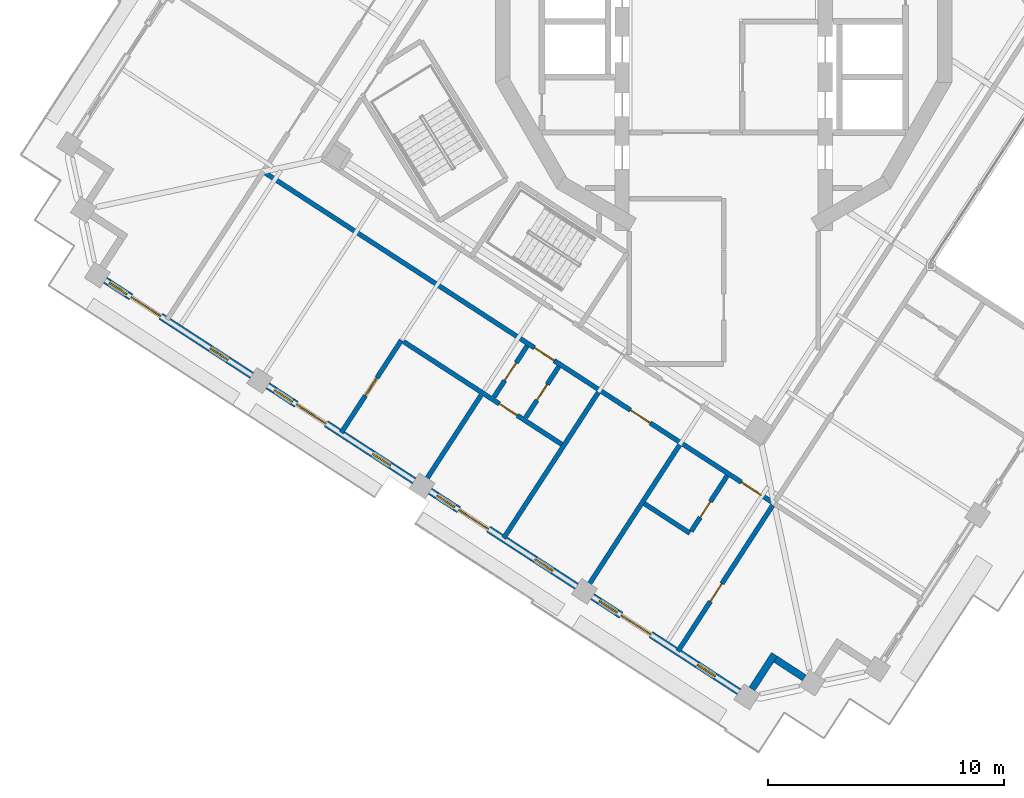
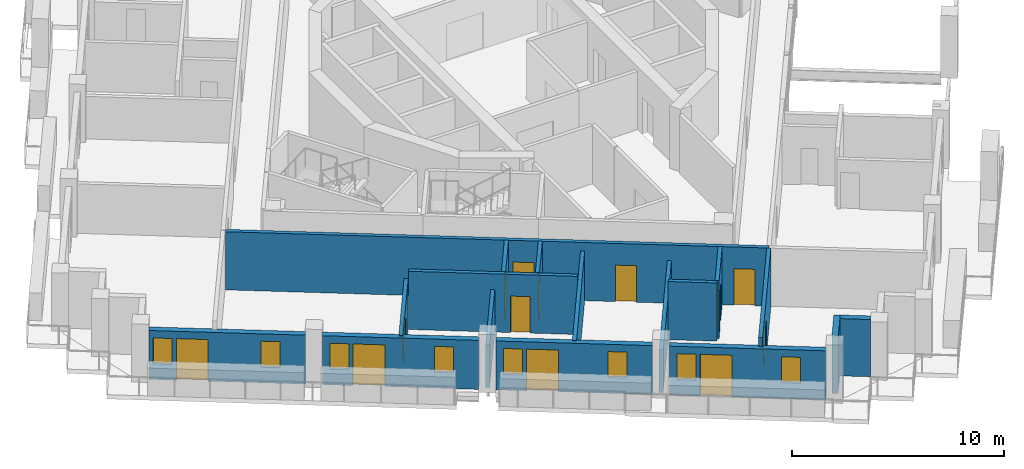
# One storey, part 5 of 17: 17 walls, 13 doors, 8 windows, 21 openings.
"""IFC4 building model written with IfcOpenShell, lengths in metres."""

from ifc_helpers import new_model, si_unit, direction, frame, frame_2d, origin, place, context, subcontext, project, spatial, rectangle, extrude, material, layer, layer_set, type_object, element, fill, save


model = new_model("IFC4")

# Units and contexts
model_context = context("Model", 3, precision=1e-05, world=origin(), true_north=direction((0.0, 1.0)))
body_context = subcontext(model_context, "Body", "Model", "MODEL_VIEW")
ifc_project = project(units=[si_unit("LENGTHUNIT", "METRE"), si_unit("AREAUNIT", "SQUARE_METRE"), si_unit("VOLUMEUNIT", "CUBIC_METRE"), si_unit("PLANEANGLEUNIT", "RADIAN"), si_unit("MASSUNIT", "GRAM", prefix="KILO")], contexts=[model_context])

# Site, building, storey
site_placement = place(None, origin())
site = spatial("IfcSite", under=ifc_project, at=site_placement, CompositionType="ELEMENT")
building_placement = place(site_placement, origin())
building = spatial("IfcBuilding", under=site, at=building_placement, Name="Cantera Rosa Tower", CompositionType="ELEMENT")
storey_placement = place(building_placement, frame((0.0, 0.0, 268.5)))
storey = spatial("IfcBuildingStorey", under=building, at=storey_placement, Name="L60", CompositionType="ELEMENT", Elevation=268.5)

# Wall, openings, doors
ifc_material_1 = material(Name="Gypsum board partition")
ifc_layer_1 = layer(ifc_material_1, 0.199951171875)
ifc_layer_set_1 = layer_set([ifc_layer_1], Name="CORRIDOR WALL 200 H3350")
wall_type_1 = type_object("IfcWallType", Name="CORRIDOR WALL 200 H3350", PredefinedType="PARTITIONING", material=ifc_layer_set_1)
wall_1_placement = place(storey_placement, frame((-19.4052734375, -6.416259765625, 0.0), z_axis=(0.0, 0.0, 1.0), x_axis=(0.83867117695, -0.544638097229, 0.0)))
wall_1 = element("IfcWall", 1, at=wall_1_placement, inside=storey, type_object=wall_type_1, Name="CORRIDOR WALL L60-002", PredefinedType="PARTITIONING", context=body_context, shape_type="SweptSolid", body=[
    extrude(rectangle(XDim=25.679931640625, YDim=0.199951171875, at=frame_2d((12.83984375, 0.0))), origin(), (0.0, 0.0, 1.0), 3.35009765625),
])
opening_1_placement = place(wall_1_placement, frame((13.580078125, 0.0, 0.0)))
opening_1 = element("IfcOpeningElement", 2, at=opening_1_placement, cuts=wall_1, Name="Opening L60-036", PredefinedType="OPENING", context=body_context, shape_type="SweptSolid", body=[
    extrude(rectangle(XDim=1.0, YDim=2.10009765625, at=frame_2d((0.5, 1.050048828125))), frame((0.0, 0.10986328125, 0.0), z_axis=(0.0, -1.0, 0.0), x_axis=(1.0, 0.0, 0.0)), (0.0, 0.0, 1.0), 0.219970703125),
])
opening_2_placement = place(wall_1_placement, frame((18.429931640625, 0.0, 0.0)))
opening_2 = element("IfcOpeningElement", 3, at=opening_2_placement, cuts=wall_1, Name="Opening L60-041", PredefinedType="OPENING", context=body_context, shape_type="SweptSolid", body=[
    extrude(rectangle(XDim=1.0, YDim=2.10009765625, at=frame_2d((0.5, 1.050048828125))), frame((0.0, 0.10986328125, 0.0), z_axis=(0.0, -1.0, 0.0), x_axis=(1.0, 0.0, 0.0)), (0.0, 0.0, 1.0), 0.219970703125),
])
opening_3_placement = place(wall_1_placement, frame((24.030029296875, 0.0, 0.0)))
opening_3 = element("IfcOpeningElement", 4, at=opening_3_placement, cuts=wall_1, Name="Opening L60-042", PredefinedType="OPENING", context=body_context, shape_type="SweptSolid", body=[
    extrude(rectangle(XDim=1.0, YDim=2.10009765625, at=frame_2d((0.5, 1.050048828125))), frame((0.0, 0.10986328125, 0.0), z_axis=(0.0, -1.0, 0.0), x_axis=(1.0, 0.0, 0.0)), (0.0, 0.0, 1.0), 0.219970703125),
])
ifc_material_2 = material(Name="Timber door leaf", Category="wood")
door_type_1 = type_object("IfcDoorType", Name="ENTRANCE DOOR 1000x2100", OperationType="NOTDEFINED", PredefinedType="DOOR", material=ifc_material_2)
door_1_placement = place(opening_1_placement, origin())
door_1 = element("IfcDoor", 5, at=door_1_placement, inside=storey, type_object=door_type_1, Name="DOOR L60-036", OperationType="NOTDEFINED", OverallHeight=2.10009765625, OverallWidth=1.0, PredefinedType="DOOR", context=body_context, shape_type="SweptSolid", body=[
    extrude(rectangle(XDim=1.0, YDim=2.10009765625, at=frame_2d((0.5, 1.050048828125))), frame((0.0, 0.02490234375, 0.0), z_axis=(0.0, -1.0, 0.0), x_axis=(1.0, 0.0, 0.0)), (0.0, 0.0, 1.0), 0.050048828125),
])
fill(opening_1, door_1)
door_2_placement = place(opening_3_placement, origin())
door_2 = element("IfcDoor", 6, at=door_2_placement, inside=storey, type_object=door_type_1, Name="DOOR L60-042", OperationType="NOTDEFINED", OverallHeight=2.10009765625, OverallWidth=1.0, PredefinedType="DOOR", context=body_context, shape_type="SweptSolid", body=[
    extrude(rectangle(XDim=1.0, YDim=2.10009765625, at=frame_2d((0.5, 1.050048828125))), frame((0.0, 0.02490234375, 0.0), z_axis=(0.0, -1.0, 0.0), x_axis=(1.0, 0.0, 0.0)), (0.0, 0.0, 1.0), 0.050048828125),
])
fill(opening_3, door_2)
ifc_material_3 = material(Name="Timber door leaf", Category="wood")
door_type_2 = type_object("IfcDoorType", Name="ROOM DOOR 1000x2100", OperationType="NOTDEFINED", PredefinedType="DOOR", material=ifc_material_3)
door_3_placement = place(opening_2_placement, origin())
door_3 = element("IfcDoor", 7, at=door_3_placement, inside=storey, type_object=door_type_2, Name="DOOR L60-041", OperationType="NOTDEFINED", OverallHeight=2.10009765625, OverallWidth=1.0, PredefinedType="DOOR", context=body_context, shape_type="SweptSolid", body=[
    extrude(rectangle(XDim=1.0, YDim=2.10009765625, at=frame_2d((0.5, 1.050048828125))), frame((0.0, 0.02490234375, 0.0), z_axis=(0.0, -1.0, 0.0), x_axis=(1.0, 0.0, 0.0)), (0.0, 0.0, 1.0), 0.050048828125),
])
fill(opening_2, door_3)

# Walls
ifc_material_4 = material(Name="Hollow clay masonry with cantera stone cladding", Category="masonry")
ifc_layer_2 = layer(ifc_material_4, 0.300048828125)
ifc_layer_set_2 = layer_set([ifc_layer_2], Name="EW-LOGGIA 300")
wall_type_2 = type_object("IfcWallType", Name="EW-LOGGIA 300", PredefinedType="SOLIDWALL", material=ifc_layer_set_2)
wall_2_placement = place(storey_placement, frame((1.2001953125, -28.263427734375, 0.0), z_axis=(0.0, 0.0, 1.0), x_axis=(0.54461563776, 0.838685761837, 0.0)))
element("IfcWall", 8, at=wall_2_placement, inside=storey, type_object=wall_type_2, Name="EN-L60-W18a", PredefinedType="SOLIDWALL", context=body_context, shape_type="SweptSolid", body=[
    extrude(rectangle(XDim=1.75, YDim=0.300048828125, at=frame_2d((0.875, 0.0))), origin(), (0.0, 0.0, 1.0), 3.300048828125),
])
wall_3_placement = place(storey_placement, frame((2.197509765625, -27.003173828125, 0.0), z_axis=(0.0, 0.0, 1.0), x_axis=(0.838647435384, -0.54467465438, 0.0)))
element("IfcWall", 9, at=wall_3_placement, inside=storey, type_object=wall_type_2, Name="EN-L60-W18b", PredefinedType="SOLIDWALL", context=body_context, shape_type="SweptSolid", body=[
    extrude(rectangle(XDim=1.449951171875, YDim=0.300048828125, at=frame_2d((0.72509765625, 0.0))), origin(), (0.0, 0.0, 1.0), 3.300048828125),
])

# Wall, openings, windows, door
ifc_material_5 = material(Name="Hollow clay masonry with cantera stone cladding", Category="masonry")
ifc_layer_3 = layer(ifc_material_5, 0.300048828125)
ifc_layer_set_3 = layer_set([ifc_layer_3], Name="EW-LOGGIA 300 H2820")
wall_type_3 = type_object("IfcWallType", Name="EW-LOGGIA 300 H2820", PredefinedType="SOLIDWALL", material=ifc_layer_set_3)
wall_4_placement = place(storey_placement, frame((-26.1904296875, -10.95263671875, 0.0), z_axis=(0.0, 0.0, 1.0), x_axis=(0.838669679097, -0.544640403719, 0.0)))
wall_4 = element("IfcWall", 10, at=wall_4_placement, inside=storey, type_object=wall_type_3, Name="EN-L60-W14", PredefinedType="SOLIDWALL", context=body_context, shape_type="SweptSolid", body=[
    extrude(rectangle(XDim=7.39990234375, YDim=0.300048828125, at=frame_2d((3.699951171875, 0.0))), origin(), (0.0, 0.0, 1.0), 2.820068359375),
])
opening_4_placement = place(wall_4_placement, frame((0.199951171875, 0.0, 0.89990234375)))
opening_4 = element("IfcOpeningElement", 11, at=opening_4_placement, cuts=wall_4, Name="Opening L60-W28", PredefinedType="OPENING", context=body_context, shape_type="SweptSolid", body=[
    extrude(rectangle(XDim=0.89990234375, YDim=1.5, at=frame_2d((0.449951171875, 0.75))), frame((0.0, 0.159912109375, 0.0), z_axis=(0.0, -1.0, 0.0), x_axis=(1.0, 0.0, 0.0)), (0.0, 0.0, 1.0), 0.320068359375),
])
opening_5_placement = place(wall_4_placement, frame((1.300048828125, 0.0, 0.0)))
opening_5 = element("IfcOpeningElement", 12, at=opening_5_placement, cuts=wall_4, Name="Opening L60-TD29", PredefinedType="OPENING", context=body_context, shape_type="SweptSolid", body=[
    extrude(rectangle(XDim=1.5, YDim=2.39990234375, at=frame_2d((0.75, 1.199951171875))), frame((0.0, 0.159912109375, 0.0), z_axis=(0.0, -1.0, 0.0), x_axis=(1.0, 0.0, 0.0)), (0.0, 0.0, 1.0), 0.320068359375),
])
opening_6_placement = place(wall_4_placement, frame((5.300048828125, 0.0, 0.89990234375)))
opening_6 = element("IfcOpeningElement", 13, at=opening_6_placement, cuts=wall_4, Name="Opening L60-W30", PredefinedType="OPENING", context=body_context, shape_type="SweptSolid", body=[
    extrude(rectangle(XDim=0.89990234375, YDim=1.5, at=frame_2d((0.449951171875, 0.75))), frame((0.0, 0.159912109375, 0.0), z_axis=(0.0, -1.0, 0.0), x_axis=(1.0, 0.0, 0.0)), (0.0, 0.0, 1.0), 0.320068359375),
])
ifc_material_6 = material(Name="Aluminium frame with clear glass", Category="aluminium")
window_type = type_object("IfcWindowType", Name="Residential window 900x1500", PartitioningType="SINGLE_PANEL", PredefinedType="WINDOW", material=ifc_material_6)
window_1_placement = place(opening_4_placement, origin())
window_1 = element("IfcWindow", 14, at=window_1_placement, inside=storey, type_object=window_type, Name="WINDOW L60-W28", OverallHeight=1.5, OverallWidth=0.89990234375, PartitioningType="SINGLE_PANEL", PredefinedType="WINDOW", context=body_context, shape_type="SweptSolid", body=[
    extrude(rectangle(XDim=0.89990234375, YDim=1.5, at=frame_2d((0.449951171875, 0.75))), frame((0.0, 0.030029296875, 0.0), z_axis=(0.0, -1.0, 0.0), x_axis=(1.0, 0.0, 0.0)), (0.0, 0.0, 1.0), 0.06005859375),
])
fill(opening_4, window_1)
window_2_placement = place(opening_6_placement, origin())
window_2 = element("IfcWindow", 15, at=window_2_placement, inside=storey, type_object=window_type, Name="WINDOW L60-W30", OverallHeight=1.5, OverallWidth=0.89990234375, PartitioningType="SINGLE_PANEL", PredefinedType="WINDOW", context=body_context, shape_type="SweptSolid", body=[
    extrude(rectangle(XDim=0.89990234375, YDim=1.5, at=frame_2d((0.449951171875, 0.75))), frame((0.0, 0.030029296875, 0.0), z_axis=(0.0, -1.0, 0.0), x_axis=(1.0, 0.0, 0.0)), (0.0, 0.0, 1.0), 0.06005859375),
])
fill(opening_6, window_2)
ifc_material_7 = material(Name="Aluminium frame with clear glass", Category="aluminium")
door_type_3 = type_object("IfcDoorType", Name="TD-R 1500x2400", OperationType="NOTDEFINED", PredefinedType="DOOR", material=ifc_material_7)
door_4_placement = place(opening_5_placement, origin())
door_4 = element("IfcDoor", 16, at=door_4_placement, inside=storey, type_object=door_type_3, Name="LOGGIA DOOR L60-TD29", OperationType="SLIDING_TO_LEFT", OverallHeight=2.39990234375, OverallWidth=1.5, PredefinedType="DOOR", context=body_context, shape_type="SweptSolid", body=[
    extrude(rectangle(XDim=1.5, YDim=2.39990234375, at=frame_2d((0.75, 1.199951171875))), frame((0.0, 0.02490234375, 0.0), z_axis=(0.0, -1.0, 0.0), x_axis=(1.0, 0.0, 0.0)), (0.0, 0.0, 1.0), 0.050048828125),
])
fill(opening_5, door_4)

wall_5_placement = place(storey_placement, frame((-19.3134765625, -15.418701171875, 0.0), z_axis=(0.0, 0.0, 1.0), x_axis=(0.838679465365, -0.544625333946, 0.0)))
wall_5 = element("IfcWall", 17, at=wall_5_placement, inside=storey, type_object=wall_type_3, Name="EN-L60-W15", PredefinedType="SOLIDWALL", context=body_context, shape_type="SweptSolid", body=[
    extrude(rectangle(XDim=7.400146484375, YDim=0.300048828125, at=frame_2d((3.7001953125, 0.0))), origin(), (0.0, 0.0, 1.0), 2.820068359375),
])
opening_7_placement = place(wall_5_placement, frame((0.35009765625, 0.0, 0.89990234375)))
opening_7 = element("IfcOpeningElement", 18, at=opening_7_placement, cuts=wall_5, Name="Opening L60-W31", PredefinedType="OPENING", context=body_context, shape_type="SweptSolid", body=[
    extrude(rectangle(XDim=0.89990234375, YDim=1.5, at=frame_2d((0.449951171875, 0.75))), frame((0.0, 0.159912109375, 0.0), z_axis=(0.0, -1.0, 0.0), x_axis=(1.0, 0.0, 0.0)), (0.0, 0.0, 1.0), 0.320068359375),
])
opening_8_placement = place(wall_5_placement, frame((1.449951171875, 0.0, 0.0)))
opening_8 = element("IfcOpeningElement", 19, at=opening_8_placement, cuts=wall_5, Name="Opening L60-TD32", PredefinedType="OPENING", context=body_context, shape_type="SweptSolid", body=[
    extrude(rectangle(XDim=1.5, YDim=2.39990234375, at=frame_2d((0.75, 1.199951171875))), frame((0.0, 0.159912109375, 0.0), z_axis=(0.0, -1.0, 0.0), x_axis=(1.0, 0.0, 0.0)), (0.0, 0.0, 1.0), 0.320068359375),
])
opening_9_placement = place(wall_5_placement, frame((5.300048828125, 0.0, 0.89990234375)))
opening_9 = element("IfcOpeningElement", 20, at=opening_9_placement, cuts=wall_5, Name="Opening L60-W33", PredefinedType="OPENING", context=body_context, shape_type="SweptSolid", body=[
    extrude(rectangle(XDim=0.89990234375, YDim=1.5, at=frame_2d((0.449951171875, 0.75))), frame((0.0, 0.159912109375, 0.0), z_axis=(0.0, -1.0, 0.0), x_axis=(1.0, 0.0, 0.0)), (0.0, 0.0, 1.0), 0.320068359375),
])
window_3_placement = place(opening_7_placement, origin())
window_3 = element("IfcWindow", 21, at=window_3_placement, inside=storey, type_object=window_type, Name="WINDOW L60-W31", OverallHeight=1.5, OverallWidth=0.89990234375, PartitioningType="SINGLE_PANEL", PredefinedType="WINDOW", context=body_context, shape_type="SweptSolid", body=[
    extrude(rectangle(XDim=0.89990234375, YDim=1.5, at=frame_2d((0.449951171875, 0.75))), frame((0.0, 0.030029296875, 0.0), z_axis=(0.0, -1.0, 0.0), x_axis=(1.0, 0.0, 0.0)), (0.0, 0.0, 1.0), 0.06005859375),
])
fill(opening_7, window_3)
window_4_placement = place(opening_9_placement, origin())
window_4 = element("IfcWindow", 22, at=window_4_placement, inside=storey, type_object=window_type, Name="WINDOW L60-W33", OverallHeight=1.5, OverallWidth=0.89990234375, PartitioningType="SINGLE_PANEL", PredefinedType="WINDOW", context=body_context, shape_type="SweptSolid", body=[
    extrude(rectangle(XDim=0.89990234375, YDim=1.5, at=frame_2d((0.449951171875, 0.75))), frame((0.0, 0.030029296875, 0.0), z_axis=(0.0, -1.0, 0.0), x_axis=(1.0, 0.0, 0.0)), (0.0, 0.0, 1.0), 0.06005859375),
])
fill(opening_9, window_4)
door_5_placement = place(opening_8_placement, origin())
door_5 = element("IfcDoor", 23, at=door_5_placement, inside=storey, type_object=door_type_3, Name="LOGGIA DOOR L60-TD32", OperationType="SLIDING_TO_LEFT", OverallHeight=2.39990234375, OverallWidth=1.5, PredefinedType="DOOR", context=body_context, shape_type="SweptSolid", body=[
    extrude(rectangle(XDim=1.5, YDim=2.39990234375, at=frame_2d((0.75, 1.199951171875))), frame((0.0, 0.02490234375, 0.0), z_axis=(0.0, -1.0, 0.0), x_axis=(1.0, 0.0, 0.0)), (0.0, 0.0, 1.0), 0.050048828125),
])
fill(opening_8, door_5)

wall_6_placement = place(storey_placement, frame((-12.436279296875, -19.884765625, 0.0), z_axis=(0.0, 0.0, 1.0), x_axis=(0.838669679097, -0.544640403719, 0.0)))
wall_6 = element("IfcWall", 24, at=wall_6_placement, inside=storey, type_object=wall_type_3, Name="EN-L60-W16", PredefinedType="SOLIDWALL", context=body_context, shape_type="SweptSolid", body=[
    extrude(rectangle(XDim=7.39990234375, YDim=0.300048828125, at=frame_2d((3.699951171875, 0.0))), origin(), (0.0, 0.0, 1.0), 2.820068359375),
])
opening_10_placement = place(wall_6_placement, frame((0.35009765625, 0.0, 0.89990234375)))
opening_10 = element("IfcOpeningElement", 25, at=opening_10_placement, cuts=wall_6, Name="Opening L60-W34", PredefinedType="OPENING", context=body_context, shape_type="SweptSolid", body=[
    extrude(rectangle(XDim=0.89990234375, YDim=1.5, at=frame_2d((0.449951171875, 0.75))), frame((0.0, 0.159912109375, 0.0), z_axis=(0.0, -1.0, 0.0), x_axis=(1.0, 0.0, 0.0)), (0.0, 0.0, 1.0), 0.320068359375),
])
opening_11_placement = place(wall_6_placement, frame((1.449951171875, 0.0, 0.0)))
opening_11 = element("IfcOpeningElement", 26, at=opening_11_placement, cuts=wall_6, Name="Opening L60-TD35", PredefinedType="OPENING", context=body_context, shape_type="SweptSolid", body=[
    extrude(rectangle(XDim=1.5, YDim=2.39990234375, at=frame_2d((0.75, 1.199951171875))), frame((0.0, 0.159912109375, 0.0), z_axis=(0.0, -1.0, 0.0), x_axis=(1.0, 0.0, 0.0)), (0.0, 0.0, 1.0), 0.320068359375),
])
opening_12_placement = place(wall_6_placement, frame((5.300048828125, 0.0, 0.89990234375)))
opening_12 = element("IfcOpeningElement", 27, at=opening_12_placement, cuts=wall_6, Name="Opening L60-W36", PredefinedType="OPENING", context=body_context, shape_type="SweptSolid", body=[
    extrude(rectangle(XDim=0.89990234375, YDim=1.5, at=frame_2d((0.449951171875, 0.75))), frame((0.0, 0.159912109375, 0.0), z_axis=(0.0, -1.0, 0.0), x_axis=(1.0, 0.0, 0.0)), (0.0, 0.0, 1.0), 0.320068359375),
])
window_5_placement = place(opening_10_placement, origin())
window_5 = element("IfcWindow", 28, at=window_5_placement, inside=storey, type_object=window_type, Name="WINDOW L60-W34", OverallHeight=1.5, OverallWidth=0.89990234375, PartitioningType="SINGLE_PANEL", PredefinedType="WINDOW", context=body_context, shape_type="SweptSolid", body=[
    extrude(rectangle(XDim=0.89990234375, YDim=1.5, at=frame_2d((0.449951171875, 0.75))), frame((0.0, 0.030029296875, 0.0), z_axis=(0.0, -1.0, 0.0), x_axis=(1.0, 0.0, 0.0)), (0.0, 0.0, 1.0), 0.06005859375),
])
fill(opening_10, window_5)
window_6_placement = place(opening_12_placement, origin())
window_6 = element("IfcWindow", 29, at=window_6_placement, inside=storey, type_object=window_type, Name="WINDOW L60-W36", OverallHeight=1.5, OverallWidth=0.89990234375, PartitioningType="SINGLE_PANEL", PredefinedType="WINDOW", context=body_context, shape_type="SweptSolid", body=[
    extrude(rectangle(XDim=0.89990234375, YDim=1.5, at=frame_2d((0.449951171875, 0.75))), frame((0.0, 0.030029296875, 0.0), z_axis=(0.0, -1.0, 0.0), x_axis=(1.0, 0.0, 0.0)), (0.0, 0.0, 1.0), 0.06005859375),
])
fill(opening_12, window_6)
door_6_placement = place(opening_11_placement, origin())
door_6 = element("IfcDoor", 30, at=door_6_placement, inside=storey, type_object=door_type_3, Name="LOGGIA DOOR L60-TD35", OperationType="SLIDING_TO_LEFT", OverallHeight=2.39990234375, OverallWidth=1.5, PredefinedType="DOOR", context=body_context, shape_type="SweptSolid", body=[
    extrude(rectangle(XDim=1.5, YDim=2.39990234375, at=frame_2d((0.75, 1.199951171875))), frame((0.0, 0.02490234375, 0.0), z_axis=(0.0, -1.0, 0.0), x_axis=(1.0, 0.0, 0.0)), (0.0, 0.0, 1.0), 0.050048828125),
])
fill(opening_11, door_6)

wall_7_placement = place(storey_placement, frame((-5.559326171875, -24.350830078125, 0.0), z_axis=(0.0, 0.0, 1.0), x_axis=(0.838679465365, -0.544625333946, 0.0)))
wall_7 = element("IfcWall", 31, at=wall_7_placement, inside=storey, type_object=wall_type_3, Name="EN-L60-W17", PredefinedType="SOLIDWALL", context=body_context, shape_type="SweptSolid", body=[
    extrude(rectangle(XDim=7.400146484375, YDim=0.300048828125, at=frame_2d((3.7001953125, 0.0))), origin(), (0.0, 0.0, 1.0), 2.820068359375),
])
opening_13_placement = place(wall_7_placement, frame((0.35009765625, 0.0, 0.89990234375)))
opening_13 = element("IfcOpeningElement", 32, at=opening_13_placement, cuts=wall_7, Name="Opening L60-W37", PredefinedType="OPENING", context=body_context, shape_type="SweptSolid", body=[
    extrude(rectangle(XDim=0.89990234375, YDim=1.5, at=frame_2d((0.449951171875, 0.75))), frame((0.0, 0.159912109375, 0.0), z_axis=(0.0, -1.0, 0.0), x_axis=(1.0, 0.0, 0.0)), (0.0, 0.0, 1.0), 0.320068359375),
])
opening_14_placement = place(wall_7_placement, frame((1.449951171875, 0.0, 0.0)))
opening_14 = element("IfcOpeningElement", 33, at=opening_14_placement, cuts=wall_7, Name="Opening L60-TD38", PredefinedType="OPENING", context=body_context, shape_type="SweptSolid", body=[
    extrude(rectangle(XDim=1.5, YDim=2.39990234375, at=frame_2d((0.75, 1.199951171875))), frame((0.0, 0.159912109375, 0.0), z_axis=(0.0, -1.0, 0.0), x_axis=(1.0, 0.0, 0.0)), (0.0, 0.0, 1.0), 0.320068359375),
])
opening_15_placement = place(wall_7_placement, frame((5.300048828125, 0.0, 0.89990234375)))
opening_15 = element("IfcOpeningElement", 34, at=opening_15_placement, cuts=wall_7, Name="Opening L60-W39", PredefinedType="OPENING", context=body_context, shape_type="SweptSolid", body=[
    extrude(rectangle(XDim=0.89990234375, YDim=1.5, at=frame_2d((0.449951171875, 0.75))), frame((0.0, 0.159912109375, 0.0), z_axis=(0.0, -1.0, 0.0), x_axis=(1.0, 0.0, 0.0)), (0.0, 0.0, 1.0), 0.320068359375),
])
window_7_placement = place(opening_13_placement, origin())
window_7 = element("IfcWindow", 35, at=window_7_placement, inside=storey, type_object=window_type, Name="WINDOW L60-W37", OverallHeight=1.5, OverallWidth=0.89990234375, PartitioningType="SINGLE_PANEL", PredefinedType="WINDOW", context=body_context, shape_type="SweptSolid", body=[
    extrude(rectangle(XDim=0.89990234375, YDim=1.5, at=frame_2d((0.449951171875, 0.75))), frame((0.0, 0.030029296875, 0.0), z_axis=(0.0, -1.0, 0.0), x_axis=(1.0, 0.0, 0.0)), (0.0, 0.0, 1.0), 0.06005859375),
])
fill(opening_13, window_7)
window_8_placement = place(opening_15_placement, origin())
window_8 = element("IfcWindow", 36, at=window_8_placement, inside=storey, type_object=window_type, Name="WINDOW L60-W39", OverallHeight=1.5, OverallWidth=0.89990234375, PartitioningType="SINGLE_PANEL", PredefinedType="WINDOW", context=body_context, shape_type="SweptSolid", body=[
    extrude(rectangle(XDim=0.89990234375, YDim=1.5, at=frame_2d((0.449951171875, 0.75))), frame((0.0, 0.030029296875, 0.0), z_axis=(0.0, -1.0, 0.0), x_axis=(1.0, 0.0, 0.0)), (0.0, 0.0, 1.0), 0.06005859375),
])
fill(opening_15, window_8)
door_7_placement = place(opening_14_placement, origin())
door_7 = element("IfcDoor", 37, at=door_7_placement, inside=storey, type_object=door_type_3, Name="LOGGIA DOOR L60-TD38", OperationType="SLIDING_TO_LEFT", OverallHeight=2.39990234375, OverallWidth=1.5, PredefinedType="DOOR", context=body_context, shape_type="SweptSolid", body=[
    extrude(rectangle(XDim=1.5, YDim=2.39990234375, at=frame_2d((0.75, 1.199951171875))), frame((0.0, 0.02490234375, 0.0), z_axis=(0.0, -1.0, 0.0), x_axis=(1.0, 0.0, 0.0)), (0.0, 0.0, 1.0), 0.050048828125),
])
fill(opening_14, door_7)

# Wall
ifc_material_8 = material(Name="Gypsum board partition")
ifc_layer_4 = layer(ifc_material_8, 0.199951171875)
ifc_layer_set_4 = layer_set([ifc_layer_4], Name="PARTITION 200 H2450")
wall_type_4 = type_object("IfcWallType", Name="PARTITION 200 H2450", PredefinedType="PARTITIONING", material=ifc_layer_set_4)
wall_8_placement = place(storey_placement, frame((-12.75537109375, -19.6416015625, 0.0), z_axis=(0.0, 0.0, 1.0), x_axis=(0.544629951314, 0.8386764669, 0.0)))
element("IfcWall", 38, at=wall_8_placement, inside=storey, type_object=wall_type_4, Name="PARTITION L60-020", PredefinedType="PARTITIONING", context=body_context, shape_type="SweptSolid", body=[
    extrude(rectangle(XDim=4.550048828125, YDim=0.199951171875, at=frame_2d((2.27490234375, 0.0))), origin(), (0.0, 0.0, 1.0), 2.449951171875),
])

# Wall, opening, door
ifc_material_9 = material(Name="Gypsum board partition")
ifc_layer_5 = layer(ifc_material_9, 0.199951171875)
ifc_layer_set_5 = layer_set([ifc_layer_5], Name="PARTITION 200 H2850")
wall_type_5 = type_object("IfcWallType", Name="PARTITION 200 H2850", PredefinedType="PARTITIONING", material=ifc_layer_set_5)
wall_9_placement = place(storey_placement, frame((-16.194091796875, -17.40869140625, 0.0), z_axis=(0.0, 0.0, 1.0), x_axis=(0.544683283636, 0.838641830895, 0.0)))
wall_9 = element("IfcWall", 39, at=wall_9_placement, inside=storey, type_object=wall_type_5, Name="PARTITION L60-007", PredefinedType="PARTITIONING", context=body_context, shape_type="SweptSolid", body=[
    extrude(rectangle(XDim=4.670166015625, YDim=0.199951171875, at=frame_2d((2.3349609375, 0.0))), origin(), (0.0, 0.0, 1.0), 2.85009765625),
])
opening_16_placement = place(wall_9_placement, frame((1.8701171875, 0.0, 0.0)))
opening_16 = element("IfcOpeningElement", 40, at=opening_16_placement, cuts=wall_9, Name="Opening L60-040", PredefinedType="OPENING", context=body_context, shape_type="SweptSolid", body=[
    extrude(rectangle(XDim=0.89990234375, YDim=2.10009765625, at=frame_2d((0.449951171875, 1.050048828125))), frame((0.0, 0.10986328125, 0.0), z_axis=(0.0, -1.0, 0.0), x_axis=(1.0, 0.0, 0.0)), (0.0, 0.0, 1.0), 0.219970703125),
])
ifc_material_10 = material(Name="Timber door leaf", Category="wood")
door_type_4 = type_object("IfcDoorType", Name="ROOM DOOR 900x2100", OperationType="NOTDEFINED", PredefinedType="DOOR", material=ifc_material_10)
door_8_placement = place(opening_16_placement, origin())
door_8 = element("IfcDoor", 41, at=door_8_placement, inside=storey, type_object=door_type_4, Name="DOOR L60-040", OperationType="NOTDEFINED", OverallHeight=2.10009765625, OverallWidth=0.89990234375, PredefinedType="DOOR", context=body_context, shape_type="SweptSolid", body=[
    extrude(rectangle(XDim=0.89990234375, YDim=2.10009765625, at=frame_2d((0.449951171875, 1.050048828125))), frame((0.0, 0.02490234375, 0.0), z_axis=(0.0, -1.0, 0.0), x_axis=(1.0, 0.0, 0.0)), (0.0, 0.0, 1.0), 0.050048828125),
])
fill(opening_16, door_8)

ifc_material_11 = material(Name="Gypsum board partition")
ifc_layer_6 = layer(ifc_material_11, 0.199951171875)
ifc_layer_set_6 = layer_set([ifc_layer_6], Name="PARTITION 200 H3350")
wall_type_6 = type_object("IfcWallType", Name="PARTITION 200 H3350", PredefinedType="PARTITIONING", material=ifc_layer_set_6)
wall_10_placement = place(storey_placement, frame((-13.5498046875, -13.557373046875, 0.0), z_axis=(0.0, 0.0, 1.0), x_axis=(0.838664432153, -0.54464848319, 0.0)))
wall_10 = element("IfcWall", 42, at=wall_10_placement, inside=storey, type_object=wall_type_6, Name="PARTITION L60-015", PredefinedType="PARTITIONING", context=body_context, shape_type="SweptSolid", body=[
    extrude(rectangle(XDim=7.979736328125, YDim=0.199951171875, at=frame_2d((3.98974609375, 0.0))), origin(), (0.0, 0.0, 1.0), 3.35009765625),
])
opening_17_placement = place(wall_10_placement, frame((4.830078125, 0.0, 0.0)))
opening_17 = element("IfcOpeningElement", 43, at=opening_17_placement, cuts=wall_10, Name="Opening L60-039", PredefinedType="OPENING", context=body_context, shape_type="SweptSolid", body=[
    extrude(rectangle(XDim=0.89990234375, YDim=2.10009765625, at=frame_2d((0.449951171875, 1.050048828125))), frame((0.0, 0.10986328125, 0.0), z_axis=(0.0, -1.0, 0.0), x_axis=(1.0, 0.0, 0.0)), (0.0, 0.0, 1.0), 0.219970703125),
])
door_9_placement = place(opening_17_placement, origin())
door_9 = element("IfcDoor", 44, at=door_9_placement, inside=storey, type_object=door_type_4, Name="DOOR L60-039", OperationType="NOTDEFINED", OverallHeight=2.10009765625, OverallWidth=0.89990234375, PredefinedType="DOOR", context=body_context, shape_type="SweptSolid", body=[
    extrude(rectangle(XDim=0.89990234375, YDim=2.10009765625, at=frame_2d((0.449951171875, 1.050048828125))), frame((0.0, 0.02490234375, 0.0), z_axis=(0.0, -1.0, 0.0), x_axis=(1.0, 0.0, 0.0)), (0.0, 0.0, 1.0), 0.050048828125),
])
fill(opening_17, door_9)

wall_11_placement = place(storey_placement, frame((-9.727294921875, -15.896728515625, 0.0), z_axis=(0.0, 0.0, 1.0), x_axis=(0.544659035015, 0.838657579454, 0.0)))
wall_11 = element("IfcWall", 45, at=wall_11_placement, inside=storey, type_object=wall_type_6, Name="PARTITION L60-024", PredefinedType="PARTITIONING", context=body_context, shape_type="SweptSolid", body=[
    extrude(rectangle(XDim=2.580078125, YDim=0.199951171875, at=frame_2d((1.2900390625, 0.0))), origin(), (0.0, 0.0, 1.0), 3.35009765625),
])
opening_18_placement = place(wall_11_placement, frame((0.830078125, 0.0, 0.0)))
opening_18 = element("IfcOpeningElement", 46, at=opening_18_placement, cuts=wall_11, Name="Opening L60-038", PredefinedType="OPENING", context=body_context, shape_type="SweptSolid", body=[
    extrude(rectangle(XDim=0.89990234375, YDim=2.10009765625, at=frame_2d((0.449951171875, 1.050048828125))), frame((0.0, 0.10986328125, 0.0), z_axis=(0.0, -1.0, 0.0), x_axis=(1.0, 0.0, 0.0)), (0.0, 0.0, 1.0), 0.219970703125),
])
door_10_placement = place(opening_18_placement, origin())
door_10 = element("IfcDoor", 47, at=door_10_placement, inside=storey, type_object=door_type_4, Name="DOOR L60-038", OperationType="NOTDEFINED", OverallHeight=2.10009765625, OverallWidth=0.89990234375, PredefinedType="DOOR", context=body_context, shape_type="SweptSolid", body=[
    extrude(rectangle(XDim=0.89990234375, YDim=2.10009765625, at=frame_2d((0.449951171875, 1.050048828125))), frame((0.0, 0.02490234375, 0.0), z_axis=(0.0, -1.0, 0.0), x_axis=(1.0, 0.0, 0.0)), (0.0, 0.0, 1.0), 0.050048828125),
])
fill(opening_18, door_10)

wall_12_placement = place(storey_placement, frame((-8.385498046875, -16.768310546875, 0.0), z_axis=(0.0, 0.0, 1.0), x_axis=(0.544659035015, 0.838657579454, 0.0)))
wall_12 = element("IfcWall", 48, at=wall_12_placement, inside=storey, type_object=wall_type_6, Name="PARTITION L60-029", PredefinedType="PARTITIONING", context=body_context, shape_type="SweptSolid", body=[
    extrude(rectangle(XDim=2.580078125, YDim=0.199951171875, at=frame_2d((1.2900390625, 0.0))), origin(), (0.0, 0.0, 1.0), 3.35009765625),
])
opening_19_placement = place(wall_12_placement, frame((0.8798828125, 0.0, 0.0)))
opening_19 = element("IfcOpeningElement", 49, at=opening_19_placement, cuts=wall_12, Name="Opening L60-037", PredefinedType="OPENING", context=body_context, shape_type="SweptSolid", body=[
    extrude(rectangle(XDim=0.800048828125, YDim=2.10009765625, at=frame_2d((0.39990234375, 1.050048828125))), frame((0.0, 0.10986328125, 0.0), z_axis=(0.0, -1.0, 0.0), x_axis=(1.0, 0.0, 0.0)), (0.0, 0.0, 1.0), 0.219970703125),
])
ifc_material_12 = material(Name="Timber door leaf", Category="wood")
door_type_5 = type_object("IfcDoorType", Name="BATHROOM DOOR 800x2100", OperationType="NOTDEFINED", PredefinedType="DOOR", material=ifc_material_12)
door_11_placement = place(opening_19_placement, origin())
door_11 = element("IfcDoor", 50, at=door_11_placement, inside=storey, type_object=door_type_5, Name="DOOR L60-037", OperationType="NOTDEFINED", OverallHeight=2.10009765625, OverallWidth=0.800048828125, PredefinedType="DOOR", context=body_context, shape_type="SweptSolid", body=[
    extrude(rectangle(XDim=0.800048828125, YDim=2.10009765625, at=frame_2d((0.39990234375, 1.050048828125))), frame((0.0, 0.02490234375, 0.0), z_axis=(0.0, -1.0, 0.0), x_axis=(1.0, 0.0, 0.0)), (0.0, 0.0, 1.0), 0.050048828125),
])
fill(opening_19, door_11)

wall_13_placement = place(storey_placement, frame((-1.9365234375, -26.66748046875, 0.0), z_axis=(0.0, 0.0, 1.0), x_axis=(0.544637822535, 0.838671355338, 0.0)))
wall_13 = element("IfcWall", 51, at=wall_13_placement, inside=storey, type_object=wall_type_6, Name="PARTITION L60-053", PredefinedType="PARTITIONING", context=body_context, shape_type="SweptSolid", body=[
    extrude(rectangle(XDim=7.369873046875, YDim=0.199951171875, at=frame_2d((3.68505859375, 0.0))), origin(), (0.0, 0.0, 1.0), 3.35009765625),
])
opening_20_placement = place(wall_13_placement, frame((2.52001953125, 0.0, 0.0)))
opening_20 = element("IfcOpeningElement", 52, at=opening_20_placement, cuts=wall_13, Name="Opening L60-044", PredefinedType="OPENING", context=body_context, shape_type="SweptSolid", body=[
    extrude(rectangle(XDim=0.89990234375, YDim=2.10009765625, at=frame_2d((0.449951171875, 1.050048828125))), frame((0.0, 0.10986328125, 0.0), z_axis=(0.0, -1.0, 0.0), x_axis=(1.0, 0.0, 0.0)), (0.0, 0.0, 1.0), 0.219970703125),
])
door_12_placement = place(opening_20_placement, origin())
door_12 = element("IfcDoor", 53, at=door_12_placement, inside=storey, type_object=door_type_4, Name="DOOR L60-044", OperationType="NOTDEFINED", OverallHeight=2.10009765625, OverallWidth=0.89990234375, PredefinedType="DOOR", context=body_context, shape_type="SweptSolid", body=[
    extrude(rectangle(XDim=0.89990234375, YDim=2.10009765625, at=frame_2d((0.449951171875, 1.050048828125))), frame((0.0, 0.02490234375, 0.0), z_axis=(0.0, -1.0, 0.0), x_axis=(1.0, 0.0, 0.0)), (0.0, 0.0, 1.0), 0.050048828125),
])
fill(opening_20, door_12)

# Wall
wall_14_placement = place(storey_placement, frame((-1.430908203125, -21.666015625, 0.0), z_axis=(0.0, 0.0, 1.0), x_axis=(-0.838669083999, 0.544641320086, 0.0)))
element("IfcWall", 54, at=wall_14_placement, inside=storey, type_object=wall_type_6, Name="PARTITION L60-056", PredefinedType="PARTITIONING", context=body_context, shape_type="SweptSolid", body=[
    extrude(rectangle(XDim=2.300048828125, YDim=0.199951171875, at=frame_2d((1.14990234375, 0.0))), origin(), (0.0, 0.0, 1.0), 3.35009765625),
])

# Wall, opening, door
wall_15_placement = place(storey_placement, frame((0.1484375, -19.23388671875, 0.0), z_axis=(0.0, 0.0, 1.0), x_axis=(-0.54463889816, -0.83867065682, 0.0)))
wall_15 = element("IfcWall", 55, at=wall_15_placement, inside=storey, type_object=wall_type_6, Name="PARTITION L60-060", PredefinedType="PARTITIONING", context=body_context, shape_type="SweptSolid", body=[
    extrude(rectangle(XDim=2.7998046875, YDim=0.199951171875, at=frame_2d((1.39990234375, 0.0))), origin(), (0.0, 0.0, 1.0), 3.35009765625),
])
opening_21_placement = place(wall_15_placement, frame((1.300048828125, 0.0, 0.0)))
opening_21 = element("IfcOpeningElement", 56, at=opening_21_placement, cuts=wall_15, Name="Opening L60-043", PredefinedType="OPENING", context=body_context, shape_type="SweptSolid", body=[
    extrude(rectangle(XDim=0.800048828125, YDim=2.10009765625, at=frame_2d((0.39990234375, 1.050048828125))), frame((0.0, 0.10986328125, 0.0), z_axis=(0.0, -1.0, 0.0), x_axis=(1.0, 0.0, 0.0)), (0.0, 0.0, 1.0), 0.219970703125),
])
door_13_placement = place(opening_21_placement, origin())
door_13 = element("IfcDoor", 57, at=door_13_placement, inside=storey, type_object=door_type_5, Name="DOOR L60-043", OperationType="NOTDEFINED", OverallHeight=2.10009765625, OverallWidth=0.800048828125, PredefinedType="DOOR", context=body_context, shape_type="SweptSolid", body=[
    extrude(rectangle(XDim=0.800048828125, YDim=2.10009765625, at=frame_2d((0.39990234375, 1.050048828125))), frame((0.0, 0.02490234375, 0.0), z_axis=(0.0, -1.0, 0.0), x_axis=(1.0, 0.0, 0.0)), (0.0, 0.0, 1.0), 0.050048828125),
])
fill(opening_21, door_13)

# Walls
ifc_material_13 = material(Name="Gypsum board partition")
ifc_layer_7 = layer(ifc_material_13, 0.199951171875)
ifc_layer_set_7 = layer_set([ifc_layer_7], Name="PARTY WALL 200 H2450")
wall_type_7 = type_object("IfcWallType", Name="PARTY WALL 200 H2450", PredefinedType="PARTITIONING", material=ifc_layer_set_7)
wall_16_placement = place(storey_placement, frame((-1.864501953125, -17.9267578125, 0.0), z_axis=(0.0, 0.0, 1.0), x_axis=(-0.544637822535, -0.838671355338, 0.0)))
element("IfcWall", 58, at=wall_16_placement, inside=storey, type_object=wall_type_7, Name="PARTY WALL L60-054", PredefinedType="PARTITIONING", context=body_context, shape_type="SweptSolid", body=[
    extrude(rectangle(XDim=7.369873046875, YDim=0.199951171875, at=frame_2d((3.68505859375, 0.0))), origin(), (0.0, 0.0, 1.0), 2.449951171875),
])
ifc_material_14 = material(Name="Gypsum board partition")
ifc_layer_8 = layer(ifc_material_14, 0.199951171875)
ifc_layer_set_8 = layer_set([ifc_layer_8], Name="PARTY WALL 200 H2850")
wall_type_8 = type_object("IfcWallType", Name="PARTY WALL 200 H2850", PredefinedType="PARTITIONING", material=ifc_layer_set_8)
wall_17_placement = place(storey_placement, frame((-5.302978515625, -15.693603515625, 0.0), z_axis=(0.0, 0.0, 1.0), x_axis=(-0.544622691464, -0.838681181345, 0.0)))
element("IfcWall", 59, at=wall_17_placement, inside=storey, type_object=wall_type_8, Name="PARTY WALL L60-042", PredefinedType="PARTITIONING", context=body_context, shape_type="SweptSolid", body=[
    extrude(rectangle(XDim=7.3701171875, YDim=0.199951171875, at=frame_2d((3.68505859375, 0.0))), origin(), (0.0, 0.0, 1.0), 2.85009765625),
])

save(model, "model.ifc")
